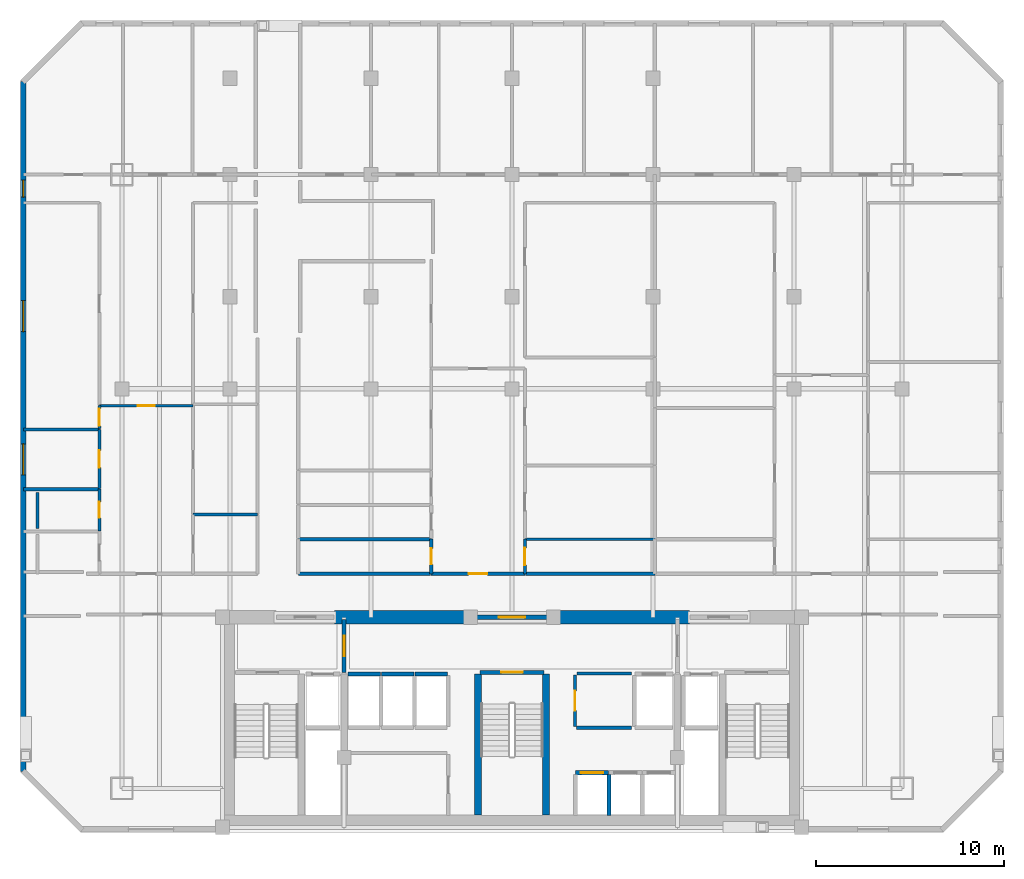
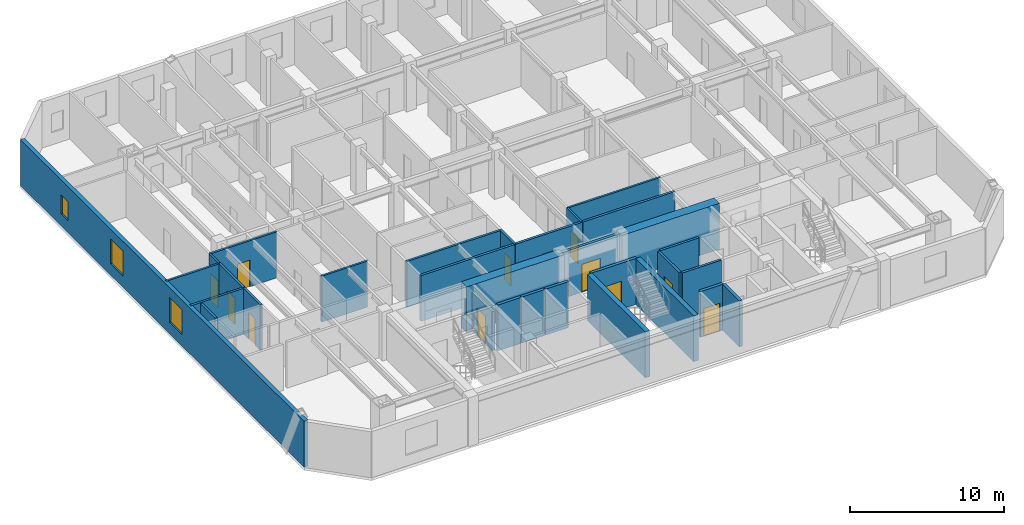
# One storey, part 3 of 8: 31 walls, 12 doors, 3 windows, 15 openings.
"""IFC4 building model written with IfcOpenShell, lengths in metres."""

from ifc_helpers import new_model, si_unit, direction, frame, frame_2d, origin, place, context, subcontext, project, spatial, rectangle, extrude, material, layer, layer_set, type_object, element, fill, save


model = new_model("IFC4")

# Units and contexts
model_context = context("Model", 3, precision=1e-05, world=origin(), true_north=direction((0.0, 1.0)))
body_context = subcontext(model_context, "Body", "Model", "MODEL_VIEW")
ifc_project = project(units=[si_unit("LENGTHUNIT", "METRE"), si_unit("AREAUNIT", "SQUARE_METRE"), si_unit("VOLUMEUNIT", "CUBIC_METRE"), si_unit("PLANEANGLEUNIT", "RADIAN"), si_unit("MASSUNIT", "GRAM", prefix="KILO")], contexts=[model_context])

# Site, building, storey
site_placement = place(None, origin())
site = spatial("IfcSite", under=ifc_project, at=site_placement, CompositionType="ELEMENT")
building_placement = place(site_placement, origin())
building = spatial("IfcBuilding", under=site, at=building_placement, Name="Ventersveld Concourse Tower", CompositionType="ELEMENT")
storey_placement = place(building_placement, frame((0.0, 0.0, 149.050048828125)))
storey = spatial("IfcBuildingStorey", under=building, at=storey_placement, Name="L36", CompositionType="ELEMENT", Elevation=149.050048828125)

# Walls
ifc_material_1 = material(Name="Concrete C60/75", Category="concrete")
ifc_layer_1 = layer(ifc_material_1, 0.35009765625)
ifc_layer_set_1 = layer_set([ifc_layer_1], Name="Concrete C60/75")
wall_type_1 = type_object("IfcWallType", Name="WL-CORE-350L", PredefinedType="SHEAR", material=ifc_layer_set_1)
for number, where, z_axis, x_axis, name in (
    (1, (26.93994140625, 0.919921875, 0.0), (0.0, 0.0, 1.0), (0.0, 1.0, 0.0), "L36 Core Internal Shear Web W-ST3-W"),
    (2, (30.56005859375, 0.919921875, 0.0), (0.0, 0.0, 1.0), (0.0, 1.0, 0.0), "L36 Core Internal Shear Web W-ST3-E"),
):
    element("IfcWall", number, at=place(storey_placement, frame(where, z_axis=z_axis, x_axis=x_axis)), inside=storey, type_object=wall_type_1, Name=name, PredefinedType="SHEAR", context=body_context, shape_type="SweptSolid", body=[
        extrude(rectangle(XDim=7.5, YDim=0.35009765625, at=frame_2d((3.75, 0.0))), origin(), (0.0, 0.0, 1.0), 3.6298828125),
    ])
ifc_layer_2 = layer(ifc_material_1, 0.699951171875)
ifc_layer_set_2 = layer_set([ifc_layer_2], Name="Concrete C60/75")
wall_type_2 = type_object("IfcWallType", Name="WL-CORE-700", PredefinedType="SHEAR", material=ifc_layer_set_2)
for number, where, z_axis, x_axis, name in (
    (3, (19.300048828125, 11.449951171875, 0.0), (0.0, 0.0, 1.0), (1.0, 0.0, 0.0), "L36 Rear Core North Shear Wall NML"),
    (4, (30.89990234375, 11.449951171875, 0.0), (0.0, 0.0, 1.0), (1.0, 0.0, 0.0), "L36 Rear Core North Shear Wall NMR"),
):
    element("IfcWall", number, at=place(storey_placement, frame(where, z_axis=z_axis, x_axis=x_axis)), inside=storey, type_object=wall_type_2, Name=name, PredefinedType="SHEAR", context=body_context, shape_type="SweptSolid", body=[
        extrude(rectangle(XDim=7.300048828125, YDim=0.699951171875, at=frame_2d((3.64990234375, 0.0))), origin(), (0.0, 0.0, 1.0), 3.6298828125),
    ])

# Wall, opening, door
ifc_material_2 = material(Name="Fire-rated autoclaved aerated masonry blockwork", Category="masonry")
ifc_layer_3 = layer(ifc_material_2, 0.179931640625)
ifc_layer_set_3 = layer_set([ifc_layer_3], Name="Fire-rated autoclaved aerated masonry blockwork")
wall_type_3 = type_object("IfcWallType", Name="WL-CORR-180", PredefinedType="PARTITIONING", material=ifc_layer_set_3)
wall_1_placement = place(storey_placement, frame((32.10009765625, 5.64990234375, 0.0), z_axis=(0.0, 0.0, 1.0), x_axis=(0.0, 1.0, 0.0)))
wall_1 = element("IfcWall", 5, at=wall_1_placement, inside=storey, type_object=wall_type_3, Name="L36 Core Passage Wall SP-L36-CBAY1", PredefinedType="PARTITIONING", context=body_context, shape_type="SweptSolid", body=[
    extrude(rectangle(XDim=2.72998046875, YDim=0.179931640625, at=frame_2d((1.364990234375, 0.0))), origin(), (0.0, 0.0, 1.0), 3.6298828125),
])
opening_1_placement = place(wall_1_placement, frame((0.840087890625, 0.0, 0.0)))
opening_1 = element("IfcOpeningElement", 6, at=opening_1_placement, cuts=wall_1, Name="Opening ID3", PredefinedType="OPENING", context=body_context, shape_type="SweptSolid", body=[
    extrude(rectangle(XDim=1.050048828125, YDim=2.14990234375, at=frame_2d((0.52490234375, 1.074951171875))), frame((0.0, 0.10009765625, 0.0), z_axis=(0.0, -1.0, 0.0), x_axis=(1.0, 0.0, 0.0)), (0.0, 0.0, 1.0), 0.199951171875),
])
ifc_material_3 = material(Name="Solid-core hardwood veneer timber", Category="wood")
door_type_1 = type_object("IfcDoorType", Name="DR-AWC-105", OperationType="NOTDEFINED", PredefinedType="DOOR", material=ifc_material_3)
door_1_placement = place(opening_1_placement, origin())
door_1 = element("IfcDoor", 7, at=door_1_placement, inside=storey, type_object=door_type_1, Name="L36 Core Room Door L36 Core Unisex Accessible WC (CD-L36-1755)", OperationType="SINGLE_SWING_RIGHT", OverallHeight=2.14990234375, OverallWidth=1.050048828125, PredefinedType="DOOR", context=body_context, shape_type="SweptSolid", body=[
    extrude(rectangle(XDim=1.050048828125, YDim=2.14990234375, at=frame_2d((0.52490234375, 1.074951171875))), frame((0.0, 0.02490234375, 0.0), z_axis=(0.0, -1.0, 0.0), x_axis=(1.0, 0.0, 0.0)), (0.0, 0.0, 1.0), 0.050048828125),
])
fill(opening_1, door_1)

# Walls
wall_2_placement = place(storey_placement, frame((32.219970703125, 8.4599609375, 0.0), z_axis=(0.0, 0.0, 1.0), x_axis=(1.0, 0.0, 0.0)))
element("IfcWall", 8, at=wall_2_placement, inside=storey, type_object=wall_type_3, Name="L36 Core Top Wall SP-L36-CBAY1", PredefinedType="PARTITIONING", context=body_context, shape_type="SweptSolid", body=[
    extrude(rectangle(XDim=2.880126953125, YDim=0.179931640625, at=frame_2d((1.43994140625, 0.0))), origin(), (0.0, 0.0, 1.0), 3.6298828125),
])
wall_3_placement = place(storey_placement, frame((32.179931640625, 5.570068359375, 0.0), z_axis=(0.0, 0.0, 1.0), x_axis=(1.0, 0.0, 0.0)))
element("IfcWall", 9, at=wall_3_placement, inside=storey, type_object=wall_type_3, Name="L36 Core Bot Wall SP-L36-CBAY1", PredefinedType="PARTITIONING", context=body_context, shape_type="SweptSolid", body=[
    extrude(rectangle(XDim=2.920166015625, YDim=0.179931640625, at=frame_2d((1.4599609375, 0.0))), origin(), (0.0, 0.0, 1.0), 3.6298828125),
])

# Wall, opening, door
wall_4_placement = place(storey_placement, frame((24.4501953125, 13.77001953125, 0.0), z_axis=(0.0, 0.0, 1.0), x_axis=(1.0, 0.0, 0.0)))
wall_4 = element("IfcWall", 10, at=wall_4_placement, inside=storey, type_object=wall_type_3, Name="L36 Interior Partition SP-L36-COR-SP-L36-36N1-FOY", PredefinedType="PARTITIONING", context=body_context, shape_type="SweptSolid", body=[
    extrude(rectangle(XDim=4.989990234375, YDim=0.179931640625, at=frame_2d((2.4951171875, 0.0))), origin(), (0.0, 0.0, 1.0), 3.6298828125),
])
opening_2_placement = place(wall_4_placement, frame((1.9951171875, 0.0, 0.0)))
opening_2 = element("IfcOpeningElement", 11, at=opening_2_placement, cuts=wall_4, Name="Opening FD3", PredefinedType="OPENING", context=body_context, shape_type="SweptSolid", body=[
    extrude(rectangle(XDim=1.0, YDim=2.14990234375, at=frame_2d((0.5, 1.074951171875))), frame((0.0, 0.10009765625, 0.0), z_axis=(0.0, -1.0, 0.0), x_axis=(1.0, 0.0, 0.0)), (0.0, 0.0, 1.0), 0.199951171875),
])
door_type_2 = type_object("IfcDoorType", Name="DR-FLAT-100", OperationType="NOTDEFINED", PredefinedType="DOOR", material=ifc_material_3)
door_2_placement = place(opening_2_placement, origin())
door_2 = element("IfcDoor", 12, at=door_2_placement, inside=storey, type_object=door_type_2, Name="L36 Interior Door SP-L36-COR to SP-L36-36N1-FOY (FD-L36-1759)", OperationType="SINGLE_SWING_LEFT", OverallHeight=2.14990234375, OverallWidth=1.0, PredefinedType="DOOR", context=body_context, shape_type="SweptSolid", body=[
    extrude(rectangle(XDim=1.0, YDim=2.14990234375, at=frame_2d((0.5, 1.074951171875))), frame((0.0, 0.02490234375, 0.0), z_axis=(0.0, -1.0, 0.0), x_axis=(1.0, 0.0, 0.0)), (0.0, 0.0, 1.0), 0.050048828125),
])
fill(opening_2, door_2)

# Walls
wall_5_placement = place(storey_placement, frame((17.385009765625, 13.77001953125, 0.0), z_axis=(0.0, 0.0, 1.0), x_axis=(1.0, 0.0, 0.0)))
element("IfcWall", 13, at=wall_5_placement, inside=storey, type_object=wall_type_3, Name="L36 Interior Partition SP-L36-COR-SP-L36-36N1-BATH", PredefinedType="PARTITIONING", context=body_context, shape_type="SweptSolid", body=[
    extrude(rectangle(XDim=7.03515625, YDim=0.179931640625, at=frame_2d((3.517578125, 0.0))), origin(), (0.0, 0.0, 1.0), 3.6298828125),
])
wall_6_placement = place(storey_placement, frame((29.47021484375, 13.77001953125, 0.0), z_axis=(0.0, 0.0, 1.0), x_axis=(1.0, 0.0, 0.0)))
element("IfcWall", 14, at=wall_6_placement, inside=storey, type_object=wall_type_3, Name="L36 Interior Partition SP-L36-COR-SP-L36-36N1-KIT", PredefinedType="PARTITIONING", context=body_context, shape_type="SweptSolid", body=[
    extrude(rectangle(XDim=6.87890625, YDim=0.179931640625, at=frame_2d((3.439453125, 0.0))), origin(), (0.0, 0.0, 1.0), 3.6298828125),
])
ifc_layer_4 = layer(ifc_material_2, 0.219970703125)
ifc_layer_set_4 = layer_set([ifc_layer_4], Name="Fire-rated autoclaved aerated masonry blockwork")
wall_type_4 = type_object("IfcWallType", Name="WL-HOIST-220", PredefinedType="SOLIDWALL", material=ifc_layer_set_4)
wall_7_placement = place(storey_placement, frame((33.89990234375, 0.89990234375, 0.0), z_axis=(0.0, 0.0, 1.0), x_axis=(0.0, 1.0, 0.0)))
element("IfcWall", 15, at=wall_7_placement, inside=storey, type_object=wall_type_4, Name="L36 Lift Hoistway Side Wall PM-01E", PredefinedType="SOLIDWALL", context=body_context, shape_type="SweptSolid", body=[
    extrude(rectangle(XDim=2.2001953125, YDim=0.219970703125, at=frame_2d((1.10009765625, 0.0))), origin(), (0.0, 0.0, 1.0), 3.6298828125),
])

# Wall, opening, door
wall_8_placement = place(storey_placement, frame((32.139892578125, 3.179931640625, 0.0), z_axis=(0.0, 0.0, 1.0), x_axis=(1.0, 0.0, 0.0)))
wall_8 = element("IfcWall", 16, at=wall_8_placement, inside=storey, type_object=wall_type_4, Name="L36 Lift Hoistway Front Wall PM-01", PredefinedType="SOLIDWALL", context=body_context, shape_type="SweptSolid", body=[
    extrude(rectangle(XDim=1.739990234375, YDim=0.219970703125, at=frame_2d((0.8701171875, 0.0))), origin(), (0.0, 0.0, 1.0), 3.6298828125),
])
opening_3_placement = place(wall_8_placement, frame((0.280029296875, 0.0, 0.0)))
opening_3 = element("IfcOpeningElement", 17, at=opening_3_placement, cuts=wall_8, Name="Opening LD2", PredefinedType="OPENING", context=body_context, shape_type="SweptSolid", body=[
    extrude(rectangle(XDim=1.179931640625, YDim=2.199951171875, at=frame_2d((0.58984375, 1.10009765625))), frame((0.0, 0.1201171875, 0.0), z_axis=(0.0, -1.0, 0.0), x_axis=(1.0, 0.0, 0.0)), (0.0, 0.0, 1.0), 0.239990234375),
])
ifc_material_4 = material(Name="Brushed stainless steel 316", Category="steel")
door_type_3 = type_object("IfcDoorType", Name="LD-PAX-118", OperationType="SLIDING_TO_LEFT", PredefinedType="DOOR", material=ifc_material_4)
door_3_placement = place(opening_3_placement, origin())
door_3 = element("IfcDoor", 18, at=door_3_placement, inside=storey, type_object=door_type_3, Name="L36 Lift landing door PM-01 (LD-L36-PM-01)", OperationType="SLIDING_TO_RIGHT", OverallHeight=2.199951171875, OverallWidth=1.179931640625, PredefinedType="DOOR", context=body_context, shape_type="SweptSolid", body=[
    extrude(rectangle(XDim=1.179931640625, YDim=2.199951171875, at=frame_2d((0.58984375, 1.10009765625))), frame((0.0, 0.02490234375, 0.0), z_axis=(0.0, -1.0, 0.0), x_axis=(1.0, 0.0, 0.0)), (0.0, 0.0, 1.0), 0.050048828125),
])
fill(opening_3, door_3)

# Walls
for number, where, z_axis, x_axis, name in (
    (19, (20.02001953125, 8.429931640625, 0.0), (0.0, 0.0, 1.0), (1.0, 0.0, 0.0), "L36 Lift Hoistway Front Wall PH-01"),
    (20, (21.800048828125, 8.429931640625, 0.0), (0.0, 0.0, 1.0), (1.0, 0.0, 0.0), "L36 Lift Hoistway Front Wall PH-02"),
    (21, (23.580078125, 8.429931640625, 0.0), (0.0, 0.0, 1.0), (1.0, 0.0, 0.0), "L36 Lift Hoistway Front Wall PH-03"),
):
    element("IfcWall", number, at=place(storey_placement, frame(where, z_axis=z_axis, x_axis=x_axis)), inside=storey, type_object=wall_type_4, Name=name, PredefinedType="SOLIDWALL", context=body_context, shape_type="SweptSolid", body=[
        extrude(rectangle(XDim=1.739990234375, YDim=0.219970703125, at=frame_2d((0.8701171875, 0.0))), origin(), (0.0, 0.0, 1.0), 3.6298828125),
    ])

# Wall, opening, door
wall_9_placement = place(storey_placement, frame((27.0400390625, 8.52001953125, 0.0), z_axis=(0.0, 0.0, 1.0), x_axis=(1.0, 0.0, 0.0)))
wall_9 = element("IfcWall", 22, at=wall_9_placement, inside=storey, type_object=wall_type_4, Name="L36 Escape Stair ST03 Fire Wall", PredefinedType="SOLIDWALL", context=body_context, shape_type="SweptSolid", body=[
    extrude(rectangle(XDim=3.419921875, YDim=0.219970703125, at=frame_2d((1.7099609375, 0.0))), origin(), (0.0, 0.0, 1.0), 3.6298828125),
])
opening_4_placement = place(wall_9_placement, frame((1.135009765625, 0.0, 0.0)))
opening_4 = element("IfcOpeningElement", 23, at=opening_4_placement, cuts=wall_9, Name="Opening FD1", PredefinedType="OPENING", context=body_context, shape_type="SweptSolid", body=[
    extrude(rectangle(XDim=1.14990234375, YDim=2.199951171875, at=frame_2d((0.574951171875, 1.10009765625))), frame((0.0, 0.1201171875, 0.0), z_axis=(0.0, -1.0, 0.0), x_axis=(1.0, 0.0, 0.0)), (0.0, 0.0, 1.0), 0.239990234375),
])
ifc_material_5 = material(Name="Galvanised painted steel", Category="steel")
door_type_4 = type_object("IfcDoorType", Name="DR-STAIR-115", OperationType="NOTDEFINED", PredefinedType="DOOR", material=ifc_material_5)
door_4_placement = place(opening_4_placement, origin())
door_4 = element("IfcDoor", 24, at=door_4_placement, inside=storey, type_object=door_type_4, Name="L36 Escape Stair Door ST03 (SD-L36-1748)", OperationType="SINGLE_SWING_LEFT", OverallHeight=2.199951171875, OverallWidth=1.14990234375, PredefinedType="DOOR", context=body_context, shape_type="SweptSolid", body=[
    extrude(rectangle(XDim=1.14990234375, YDim=2.199951171875, at=frame_2d((0.574951171875, 1.10009765625))), frame((0.0, 0.02490234375, 0.0), z_axis=(0.0, -1.0, 0.0), x_axis=(1.0, 0.0, 0.0)), (0.0, 0.0, 1.0), 0.050048828125),
])
fill(opening_4, door_4)

wall_10_placement = place(storey_placement, frame((19.820068359375, 8.52001953125, 0.0), z_axis=(0.0, 0.0, 1.0), x_axis=(0.0, 1.0, 0.0)))
wall_10 = element("IfcWall", 25, at=wall_10_placement, inside=storey, type_object=wall_type_4, Name="L36 Firefighting Lobby Smoke-Stop Wall FFLW-SEP", PredefinedType="SOLIDWALL", context=body_context, shape_type="SweptSolid", body=[
    extrude(rectangle(XDim=2.800048828125, YDim=0.219970703125, at=frame_2d((1.39990234375, 0.0))), origin(), (0.0, 0.0, 1.0), 3.08544921875),
])
opening_5_placement = place(wall_10_placement, frame((0.85009765625, 0.0, 0.0)))
opening_5 = element("IfcOpeningElement", 26, at=opening_5_placement, cuts=wall_10, Name="Opening FD2", PredefinedType="OPENING", context=body_context, shape_type="SweptSolid", body=[
    extrude(rectangle(XDim=1.10009765625, YDim=2.199951171875, at=frame_2d((0.550048828125, 1.10009765625))), frame((0.0, 0.1201171875, 0.0), z_axis=(0.0, -1.0, 0.0), x_axis=(1.0, 0.0, 0.0)), (0.0, 0.0, 1.0), 0.239990234375),
])
door_type_5 = type_object("IfcDoorType", Name="DR-FFL-110", OperationType="NOTDEFINED", PredefinedType="DOOR", material=ifc_material_5)
door_5_placement = place(opening_5_placement, origin())
door_5 = element("IfcDoor", 27, at=door_5_placement, inside=storey, type_object=door_type_5, Name="L36 Firefighting Lobby Door FFLW-SEP (FD-L36-1749)", OperationType="SINGLE_SWING_LEFT", OverallHeight=2.199951171875, OverallWidth=1.10009765625, PredefinedType="DOOR", context=body_context, shape_type="SweptSolid", body=[
    extrude(rectangle(XDim=1.10009765625, YDim=2.199951171875, at=frame_2d((0.550048828125, 1.10009765625))), frame((0.0, 0.02490234375, 0.0), z_axis=(0.0, -1.0, 0.0), x_axis=(1.0, 0.0, 0.0)), (0.0, 0.0, 1.0), 0.050048828125),
])
fill(opening_5, door_5)

wall_11_placement = place(storey_placement, frame((26.6298828125, 11.449951171875, 0.0), z_axis=(0.0, 0.0, 1.0), x_axis=(1.0, 0.0, 0.0)))
wall_11 = element("IfcWall", 28, at=wall_11_placement, inside=storey, type_object=wall_type_4, Name="L36 Core North Fire Portal PLOB-OUT", PredefinedType="SOLIDWALL", context=body_context, shape_type="SweptSolid", body=[
    extrude(rectangle(XDim=4.240234375, YDim=0.219970703125, at=frame_2d((2.1201171875, 0.0))), origin(), (0.0, 0.0, 1.0), 3.6298828125),
])
opening_6_placement = place(wall_11_placement, frame((1.419921875, 0.0, 0.0)))
opening_6 = element("IfcOpeningElement", 29, at=opening_6_placement, cuts=wall_11, Name="Opening FD4", PredefinedType="OPENING", context=body_context, shape_type="SweptSolid", body=[
    extrude(rectangle(XDim=1.39990234375, YDim=2.199951171875, at=frame_2d((0.699951171875, 1.10009765625))), frame((0.0, 0.1201171875, 0.0), z_axis=(0.0, -1.0, 0.0), x_axis=(1.0, 0.0, 0.0)), (0.0, 0.0, 1.0), 0.239990234375),
])
door_type_6 = type_object("IfcDoorType", Name="DR-PLANT-140", OperationType="DOUBLE_DOOR_SINGLE_SWING", PredefinedType="DOOR", material=ifc_material_5)
door_6_placement = place(opening_6_placement, origin())
door_6 = element("IfcDoor", 30, at=door_6_placement, inside=storey, type_object=door_type_6, Name="L36 Core Lobby Fire Door PLOB-OUT (FD-L36-1752)", OperationType="DOUBLE_DOOR_SINGLE_SWING", OverallHeight=2.199951171875, OverallWidth=1.39990234375, PredefinedType="DOOR", context=body_context, shape_type="SweptSolid", body=[
    extrude(rectangle(XDim=1.39990234375, YDim=2.199951171875, at=frame_2d((0.699951171875, 1.10009765625))), frame((0.0, 0.02490234375, 0.0), z_axis=(0.0, -1.0, 0.0), x_axis=(1.0, 0.0, 0.0)), (0.0, 0.0, 1.0), 0.050048828125),
])
fill(opening_6, door_6)

ifc_material_6 = material(Name="Autoclaved aerated masonry blockwork", Category="masonry")
ifc_layer_5 = layer(ifc_material_6, 0.14990234375)
ifc_layer_set_5 = layer_set([ifc_layer_5], Name="Autoclaved aerated masonry blockwork")
wall_type_5 = type_object("IfcWallType", Name="WL-INT-150", PredefinedType="PARTITIONING", material=ifc_layer_set_5)
wall_12_placement = place(storey_placement, frame((6.80078125, 22.703369140625, 0.0), z_axis=(0.0, 0.0, 1.0), x_axis=(1.0, 0.0, 0.0)))
wall_12 = element("IfcWall", 31, at=wall_12_placement, inside=storey, type_object=wall_type_5, Name="L36 Interior Partition SP-L36-36NW-FOY-SP-L36-36NW-LIV", PredefinedType="PARTITIONING", context=body_context, shape_type="SweptSolid", body=[
    extrude(rectangle(XDim=4.990234375, YDim=0.14990234375, at=frame_2d((2.4951171875, 0.0))), origin(), (0.0, 0.0, 1.0), 3.6298828125),
])
opening_7_placement = place(wall_12_placement, frame((2.034912109375, 0.0, 0.0)))
opening_7 = element("IfcOpeningElement", 32, at=opening_7_placement, cuts=wall_12, Name="Opening ID1", PredefinedType="OPENING", context=body_context, shape_type="SweptSolid", body=[
    extrude(rectangle(XDim=0.919921875, YDim=2.10009765625, at=frame_2d((0.4599609375, 1.050048828125))), frame((0.0, 0.0849609375, 0.0), z_axis=(0.0, -1.0, 0.0), x_axis=(1.0, 0.0, 0.0)), (0.0, 0.0, 1.0), 0.169921875),
])
door_type_7 = type_object("IfcDoorType", Name="DR-ROOM-092", OperationType="NOTDEFINED", PredefinedType="DOOR", material=ifc_material_3)
door_7_placement = place(opening_7_placement, origin())
door_7 = element("IfcDoor", 33, at=door_7_placement, inside=storey, type_object=door_type_7, Name="L36 Interior Door SP-L36-36NW-FOY to SP-L36-36NW-LIV (D-L36-1761)", OperationType="SINGLE_SWING_LEFT", OverallHeight=2.10009765625, OverallWidth=0.919921875, PredefinedType="DOOR", context=body_context, shape_type="SweptSolid", body=[
    extrude(rectangle(XDim=0.919921875, YDim=2.10009765625, at=frame_2d((0.4599609375, 1.050048828125))), frame((0.0, 0.02490234375, 0.0), z_axis=(0.0, -1.0, 0.0), x_axis=(1.0, 0.0, 0.0)), (0.0, 0.0, 1.0), 0.050048828125),
])
fill(opening_7, door_7)

wall_13_placement = place(storey_placement, frame((6.805908203125, 18.295166015625, 0.0), z_axis=(0.0, 0.0, 1.0), x_axis=(0.0, 1.0, 0.0)))
wall_13 = element("IfcWall", 34, at=wall_13_placement, inside=storey, type_object=wall_type_5, Name="L36 Interior Partition SP-L36-36NW-FOY-SP-L36-36NW-PANL0", PredefinedType="PARTITIONING", context=body_context, shape_type="SweptSolid", body=[
    extrude(rectangle(XDim=3.15380859375, YDim=0.14990234375, at=frame_2d((1.576904296875, 0.0))), origin(), (0.0, 0.0, 1.0), 3.6298828125),
])
opening_8_placement = place(wall_13_placement, frame((1.116943359375, 0.0, 0.0)))
opening_8 = element("IfcOpeningElement", 35, at=opening_8_placement, cuts=wall_13, Name="Opening ID1", PredefinedType="OPENING", context=body_context, shape_type="SweptSolid", body=[
    extrude(rectangle(XDim=0.919921875, YDim=2.10009765625, at=frame_2d((0.4599609375, 1.050048828125))), frame((0.0, 0.0849609375, 0.0), z_axis=(0.0, -1.0, 0.0), x_axis=(1.0, 0.0, 0.0)), (0.0, 0.0, 1.0), 0.169921875),
])
door_8_placement = place(opening_8_placement, origin())
door_8 = element("IfcDoor", 36, at=door_8_placement, inside=storey, type_object=door_type_7, Name="L36 Interior Door SP-L36-36NW-FOY to SP-L36-36NW-PANL0 (D-L36-1764)", OperationType="SINGLE_SWING_RIGHT", OverallHeight=2.10009765625, OverallWidth=0.919921875, PredefinedType="DOOR", context=body_context, shape_type="SweptSolid", body=[
    extrude(rectangle(XDim=0.919921875, YDim=2.10009765625, at=frame_2d((0.4599609375, 1.050048828125))), frame((0.0, 0.02490234375, 0.0), z_axis=(0.0, -1.0, 0.0), x_axis=(1.0, 0.0, 0.0)), (0.0, 0.0, 1.0), 0.050048828125),
])
fill(opening_8, door_8)

wall_14_placement = place(storey_placement, frame((6.805908203125, 21.47900390625, 0.0), z_axis=(0.0, 0.0, 1.0), x_axis=(0.0, 1.0, 0.0)))
wall_14 = element("IfcWall", 37, at=wall_14_placement, inside=storey, type_object=wall_type_5, Name="L36 Interior Partition SP-L36-36NW-FOY-SP-L36-36NW-DENL", PredefinedType="PARTITIONING", context=body_context, shape_type="SweptSolid", body=[
    extrude(rectangle(XDim=1.229248046875, YDim=0.14990234375, at=frame_2d((0.61474609375, 0.0))), origin(), (0.0, 0.0, 1.0), 3.6298828125),
])
opening_9_placement = place(wall_14_placement, frame((0.154541015625, 0.0, 0.0)))
opening_9 = element("IfcOpeningElement", 38, at=opening_9_placement, cuts=wall_14, Name="Opening ID1", PredefinedType="OPENING", context=body_context, shape_type="SweptSolid", body=[
    extrude(rectangle(XDim=0.919921875, YDim=2.10009765625, at=frame_2d((0.4599609375, 1.050048828125))), frame((0.0, 0.0849609375, 0.0), z_axis=(0.0, -1.0, 0.0), x_axis=(1.0, 0.0, 0.0)), (0.0, 0.0, 1.0), 0.169921875),
])
door_9_placement = place(opening_9_placement, origin())
door_9 = element("IfcDoor", 39, at=door_9_placement, inside=storey, type_object=door_type_7, Name="L36 Interior Door SP-L36-36NW-FOY to SP-L36-36NW-DENL (D-L36-1765)", OperationType="SINGLE_SWING_LEFT", OverallHeight=2.10009765625, OverallWidth=0.919921875, PredefinedType="DOOR", context=body_context, shape_type="SweptSolid", body=[
    extrude(rectangle(XDim=0.919921875, YDim=2.10009765625, at=frame_2d((0.4599609375, 1.050048828125))), frame((0.0, 0.02490234375, 0.0), z_axis=(0.0, -1.0, 0.0), x_axis=(1.0, 0.0, 0.0)), (0.0, 0.0, 1.0), 0.050048828125),
])
fill(opening_9, door_9)

# Walls
wall_15_placement = place(storey_placement, frame((2.7724609375, 21.444091796875, 0.0), z_axis=(0.0, 0.0, 1.0), x_axis=(1.0, 0.0, 0.0)))
element("IfcWall", 40, at=wall_15_placement, inside=storey, type_object=wall_type_5, Name="L36 Interior Partition SP-L36-36NW-PANL0-SP-L36-36NW-DENL", PredefinedType="PARTITIONING", context=body_context, shape_type="SweptSolid", body=[
    extrude(rectangle(XDim=4.038330078125, YDim=0.14990234375, at=frame_2d((2.01904296875, 0.0))), origin(), (0.0, 0.0, 1.0), 3.6298828125),
])
wall_16_placement = place(storey_placement, frame((11.781005859375, 16.9091796875, 0.0), z_axis=(0.0, 0.0, 1.0), x_axis=(1.0, 0.0, 0.0)))
element("IfcWall", 41, at=wall_16_placement, inside=storey, type_object=wall_type_5, Name="L36 Interior Partition SP-L36-36NW-KIT-SP-L36-36NW-MEDR1", PredefinedType="PARTITIONING", context=body_context, shape_type="SweptSolid", body=[
    extrude(rectangle(XDim=3.43408203125, YDim=0.14990234375, at=frame_2d((1.717041015625, 0.0))), origin(), (0.0, 0.0, 1.0), 3.6298828125),
])

# Wall, opening, door
wall_17_placement = place(storey_placement, frame((29.435302734375, 13.764892578125, 0.0), z_axis=(0.0, 0.0, 1.0), x_axis=(0.0, 1.0, 0.0)))
wall_17 = element("IfcWall", 42, at=wall_17_placement, inside=storey, type_object=wall_type_5, Name="L36 Interior Partition SP-L36-36N1-FOY-SP-L36-36N1-KIT", PredefinedType="PARTITIONING", context=body_context, shape_type="SweptSolid", body=[
    extrude(rectangle(XDim=1.840087890625, YDim=0.14990234375, at=frame_2d((0.919921875, 0.0))), origin(), (0.0, 0.0, 1.0), 3.6298828125),
])
opening_10_placement = place(wall_17_placement, frame((0.4599609375, 0.0, 0.0)))
opening_10 = element("IfcOpeningElement", 43, at=opening_10_placement, cuts=wall_17, Name="Opening ID1", PredefinedType="OPENING", context=body_context, shape_type="SweptSolid", body=[
    extrude(rectangle(XDim=0.919921875, YDim=2.10009765625, at=frame_2d((0.4599609375, 1.050048828125))), frame((0.0, 0.0849609375, 0.0), z_axis=(0.0, -1.0, 0.0), x_axis=(1.0, 0.0, 0.0)), (0.0, 0.0, 1.0), 0.169921875),
])
door_10_placement = place(opening_10_placement, origin())
door_10 = element("IfcDoor", 44, at=door_10_placement, inside=storey, type_object=door_type_7, Name="L36 Interior Door SP-L36-36N1-FOY to SP-L36-36N1-KIT (D-L36-1778)", OperationType="SINGLE_SWING_RIGHT", OverallHeight=2.10009765625, OverallWidth=0.919921875, PredefinedType="DOOR", context=body_context, shape_type="SweptSolid", body=[
    extrude(rectangle(XDim=0.919921875, YDim=2.10009765625, at=frame_2d((0.4599609375, 1.050048828125))), frame((0.0, 0.02490234375, 0.0), z_axis=(0.0, -1.0, 0.0), x_axis=(1.0, 0.0, 0.0)), (0.0, 0.0, 1.0), 0.050048828125),
])
fill(opening_10, door_10)

# Wall
wall_18_placement = place(storey_placement, frame((29.43017578125, 15.60009765625, 0.0), z_axis=(0.0, 0.0, 1.0), x_axis=(1.0, 0.0, 0.0)))
element("IfcWall", 45, at=wall_18_placement, inside=storey, type_object=wall_type_5, Name="L36 Interior Partition SP-L36-36N1-KIT-SP-L36-36N1-SEMR1", PredefinedType="PARTITIONING", context=body_context, shape_type="SweptSolid", body=[
    extrude(rectangle(XDim=6.9189453125, YDim=0.14990234375, at=frame_2d((3.45947265625, 0.0))), origin(), (0.0, 0.0, 1.0), 3.6298828125),
])

# Wall, openings, windows
ifc_material_7 = material(Name="Precast concrete C45/55", Category="concrete")
ifc_layer_6 = layer(ifc_material_7, 0.300048828125)
ifc_layer_set_6 = layer_set([ifc_layer_6], Name="Precast concrete C45/55")
wall_type_6 = type_object("IfcWallType", Name="WL-PREC-300", PredefinedType="SOLIDWALL", material=ifc_layer_set_6)
wall_19_placement = place(storey_placement, frame((2.75, 39.9599609375, 0.0), z_axis=(0.0, 0.0, 1.0), x_axis=(0.0, -1.0, 0.0)))
wall_19 = element("IfcWall", 46, at=wall_19_placement, inside=storey, type_object=wall_type_6, Name="L36 Highveld Precast Facade Wall E07", PredefinedType="SOLIDWALL", context=body_context, shape_type="SweptSolid", body=[
    extrude(rectangle(XDim=36.719970703125, YDim=0.300048828125, at=frame_2d((18.35986328125, 0.0))), origin(), (0.0, 0.0, 1.0), 3.6298828125),
])
opening_11_placement = place(wall_19_placement, frame((5.260009765625, 0.0, 0.949951171875)))
opening_11 = element("IfcOpeningElement", 47, at=opening_11_placement, cuts=wall_19, Name="Opening W4", PredefinedType="OPENING", context=body_context, shape_type="SweptSolid", body=[
    extrude(rectangle(XDim=0.89990234375, YDim=1.5, at=frame_2d((0.449951171875, 0.75))), frame((0.0, 0.16015625, 0.0), z_axis=(0.0, -1.0, 0.0), x_axis=(1.0, 0.0, 0.0)), (0.0, 0.0, 1.0), 0.320068359375),
])
opening_12_placement = place(wall_19_placement, frame((19.282958984375, 0.0, 0.8798828125)))
opening_12 = element("IfcOpeningElement", 48, at=opening_12_placement, cuts=wall_19, Name="Opening W6", PredefinedType="OPENING", context=body_context, shape_type="SweptSolid", body=[
    extrude(rectangle(XDim=1.64990234375, YDim=2.0, at=frame_2d((0.824951171875, 1.0))), frame((0.0, 0.16015625, 0.0), z_axis=(0.0, -1.0, 0.0), x_axis=(1.0, 0.0, 0.0)), (0.0, 0.0, 1.0), 0.320068359375),
])
opening_13_placement = place(wall_19_placement, frame((11.6630859375, 0.0, 0.8798828125)))
opening_13 = element("IfcOpeningElement", 49, at=opening_13_placement, cuts=wall_19, Name="Opening W6", PredefinedType="OPENING", context=body_context, shape_type="SweptSolid", body=[
    extrude(rectangle(XDim=1.64990234375, YDim=2.0, at=frame_2d((0.824951171875, 1.0))), frame((0.0, 0.16015625, 0.0), z_axis=(0.0, -1.0, 0.0), x_axis=(1.0, 0.0, 0.0)), (0.0, 0.0, 1.0), 0.320068359375),
])
ifc_material_8 = material(Name="Tempered acoustic Low-E IGU", Category="glass")
window_type_1 = type_object("IfcWindowType", Name="WIN-090x150", PartitioningType="SINGLE_PANEL", PredefinedType="WINDOW", material=ifc_material_8)
window_1_placement = place(opening_11_placement, origin())
window_1 = element("IfcWindow", 50, at=window_1_placement, inside=storey, type_object=window_type_1, Name="L36 Punched Low-E Window W-0463", OverallHeight=1.5, OverallWidth=0.89990234375, PartitioningType="SINGLE_PANEL", PredefinedType="WINDOW", context=body_context, shape_type="SweptSolid", body=[
    extrude(rectangle(XDim=0.89990234375, YDim=1.5, at=frame_2d((0.449951171875, 0.75))), frame((0.0, 0.030029296875, 0.0), z_axis=(0.0, -1.0, 0.0), x_axis=(1.0, 0.0, 0.0)), (0.0, 0.0, 1.0), 0.06005859375),
])
fill(opening_11, window_1)
window_type_2 = type_object("IfcWindowType", Name="WIN-165x200", PartitioningType="SINGLE_PANEL", PredefinedType="WINDOW", material=ifc_material_8)
window_2_placement = place(opening_12_placement, origin())
window_2 = element("IfcWindow", 51, at=window_2_placement, inside=storey, type_object=window_type_2, Name="L36 Punched Low-E Window W-0464", OverallHeight=2.0, OverallWidth=1.64990234375, PartitioningType="SINGLE_PANEL", PredefinedType="WINDOW", context=body_context, shape_type="SweptSolid", body=[
    extrude(rectangle(XDim=1.64990234375, YDim=2.0, at=frame_2d((0.824951171875, 1.0))), frame((0.0, 0.030029296875, 0.0), z_axis=(0.0, -1.0, 0.0), x_axis=(1.0, 0.0, 0.0)), (0.0, 0.0, 1.0), 0.06005859375),
])
fill(opening_12, window_2)
window_3_placement = place(opening_13_placement, origin())
window_3 = element("IfcWindow", 52, at=window_3_placement, inside=storey, type_object=window_type_2, Name="L36 Punched Low-E Window W-0465", OverallHeight=2.0, OverallWidth=1.64990234375, PartitioningType="SINGLE_PANEL", PredefinedType="WINDOW", context=body_context, shape_type="SweptSolid", body=[
    extrude(rectangle(XDim=1.64990234375, YDim=2.0, at=frame_2d((0.824951171875, 1.0))), frame((0.0, 0.030029296875, 0.0), z_axis=(0.0, -1.0, 0.0), x_axis=(1.0, 0.0, 0.0)), (0.0, 0.0, 1.0), 0.06005859375),
])
fill(opening_13, window_3)

# Wall, opening, door
ifc_layer_7 = layer(ifc_material_6, 0.1650390625)
ifc_layer_set_7 = layer_set([ifc_layer_7], Name="Autoclaved aerated masonry blockwork")
wall_type_7 = type_object("IfcWallType", Name="WL-WET-165", PredefinedType="PLUMBINGWALL", material=ifc_layer_set_7)
wall_20_placement = place(storey_placement, frame((6.805908203125, 16.050048828125, 0.0), z_axis=(0.0, 0.0, 1.0), x_axis=(0.0, 1.0, 0.0)))
wall_20 = element("IfcWall", 53, at=wall_20_placement, inside=storey, type_object=wall_type_7, Name="L36 Interior Partition SP-L36-36NW-FOY-SP-L36-36NW-PWDL2", PredefinedType="PLUMBINGWALL", context=body_context, shape_type="SweptSolid", body=[
    extrude(rectangle(XDim=2.215087890625, YDim=0.1650390625, at=frame_2d((1.107421875, 0.0))), origin(), (0.0, 0.0, 1.0), 3.6298828125),
])
opening_14_placement = place(wall_20_placement, frame((0.6826171875, 0.0, 0.0)))
opening_14 = element("IfcOpeningElement", 54, at=opening_14_placement, cuts=wall_20, Name="Opening ID2", PredefinedType="OPENING", context=body_context, shape_type="SweptSolid", body=[
    extrude(rectangle(XDim=0.85009765625, YDim=2.10009765625, at=frame_2d((0.425048828125, 1.050048828125))), frame((0.0, 0.092529296875, 0.0), z_axis=(0.0, -1.0, 0.0), x_axis=(1.0, 0.0, 0.0)), (0.0, 0.0, 1.0), 0.18505859375),
])
door_type_8 = type_object("IfcDoorType", Name="DR-BATH-085", OperationType="NOTDEFINED", PredefinedType="DOOR", material=ifc_material_3)
door_11_placement = place(opening_14_placement, origin())
door_11 = element("IfcDoor", 55, at=door_11_placement, inside=storey, type_object=door_type_8, Name="L36 Interior Door SP-L36-36NW-FOY to SP-L36-36NW-PWDL2 (D-L36-1763)", OperationType="SINGLE_SWING_LEFT", OverallHeight=2.10009765625, OverallWidth=0.85009765625, PredefinedType="DOOR", context=body_context, shape_type="SweptSolid", body=[
    extrude(rectangle(XDim=0.85009765625, YDim=2.10009765625, at=frame_2d((0.425048828125, 1.050048828125))), frame((0.0, 0.02490234375, 0.0), z_axis=(0.0, -1.0, 0.0), x_axis=(1.0, 0.0, 0.0)), (0.0, 0.0, 1.0), 0.050048828125),
])
fill(opening_14, door_11)

# Wall
wall_21_placement = place(storey_placement, frame((2.7724609375, 18.26025390625, 0.0), z_axis=(0.0, 0.0, 1.0), x_axis=(1.0, 0.0, 0.0)))
element("IfcWall", 56, at=wall_21_placement, inside=storey, type_object=wall_type_7, Name="L36 Interior Partition SP-L36-36NW-PWDL2-SP-L36-36NW-PANL0", PredefinedType="PLUMBINGWALL", context=body_context, shape_type="SweptSolid", body=[
    extrude(rectangle(XDim=4.038330078125, YDim=0.1650390625, at=frame_2d((2.01904296875, 0.0))), origin(), (0.0, 0.0, 1.0), 3.6298828125),
])

# Wall, opening, door
wall_22_placement = place(storey_placement, frame((24.455078125, 13.764892578125, 0.0), z_axis=(0.0, 0.0, 1.0), x_axis=(0.0, 1.0, 0.0)))
wall_22 = element("IfcWall", 57, at=wall_22_placement, inside=storey, type_object=wall_type_7, Name="L36 Interior Partition SP-L36-36N1-FOY-SP-L36-36N1-BATH", PredefinedType="PLUMBINGWALL", context=body_context, shape_type="SweptSolid", body=[
    extrude(rectangle(XDim=1.840087890625, YDim=0.1650390625, at=frame_2d((0.919921875, 0.0))), origin(), (0.0, 0.0, 1.0), 3.6298828125),
])
opening_15_placement = place(wall_22_placement, frame((0.4951171875, 0.0, 0.0)))
opening_15 = element("IfcOpeningElement", 58, at=opening_15_placement, cuts=wall_22, Name="Opening ID2", PredefinedType="OPENING", context=body_context, shape_type="SweptSolid", body=[
    extrude(rectangle(XDim=0.85009765625, YDim=2.10009765625, at=frame_2d((0.425048828125, 1.050048828125))), frame((0.0, 0.092529296875, 0.0), z_axis=(0.0, -1.0, 0.0), x_axis=(1.0, 0.0, 0.0)), (0.0, 0.0, 1.0), 0.18505859375),
])
door_12_placement = place(opening_15_placement, origin())
door_12 = element("IfcDoor", 59, at=door_12_placement, inside=storey, type_object=door_type_8, Name="L36 Interior Door SP-L36-36N1-FOY to SP-L36-36N1-BATH (D-L36-1774)", OperationType="SINGLE_SWING_RIGHT", OverallHeight=2.10009765625, OverallWidth=0.85009765625, PredefinedType="DOOR", context=body_context, shape_type="SweptSolid", body=[
    extrude(rectangle(XDim=0.85009765625, YDim=2.10009765625, at=frame_2d((0.425048828125, 1.050048828125))), frame((0.0, 0.02490234375, 0.0), z_axis=(0.0, -1.0, 0.0), x_axis=(1.0, 0.0, 0.0)), (0.0, 0.0, 1.0), 0.050048828125),
])
fill(opening_15, door_12)

# Walls
wall_23_placement = place(storey_placement, frame((17.385009765625, 15.60009765625, 0.0), z_axis=(0.0, 0.0, 1.0), x_axis=(1.0, 0.0, 0.0)))
element("IfcWall", 60, at=wall_23_placement, inside=storey, type_object=wall_type_7, Name="L36 Interior Partition SP-L36-36N1-BATH-SP-L36-36N1-PWDL2", PredefinedType="PLUMBINGWALL", context=body_context, shape_type="SweptSolid", body=[
    extrude(rectangle(XDim=7.0751953125, YDim=0.1650390625, at=frame_2d((3.53759765625, 0.0))), origin(), (0.0, 0.0, 1.0), 3.6298828125),
])
wall_24_placement = place(storey_placement, frame((3.52001953125, 16.18017578125, 0.0), z_axis=(0.0, 0.0, 1.0), x_axis=(0.0, 1.0, 0.0)))
element("IfcWall", 61, at=wall_24_placement, inside=storey, type_object=wall_type_7, Name="L36 Room Enclosure Wall SP-L36-36NW-PWDL2", PredefinedType="PLUMBINGWALL", context=body_context, shape_type="SweptSolid", body=[
    extrude(rectangle(XDim=1.9150390625, YDim=0.1650390625, at=frame_2d((0.95751953125, 0.0))), origin(), (0.0, 0.0, 1.0), 3.6298828125),
])

save(model, "model.ifc")
